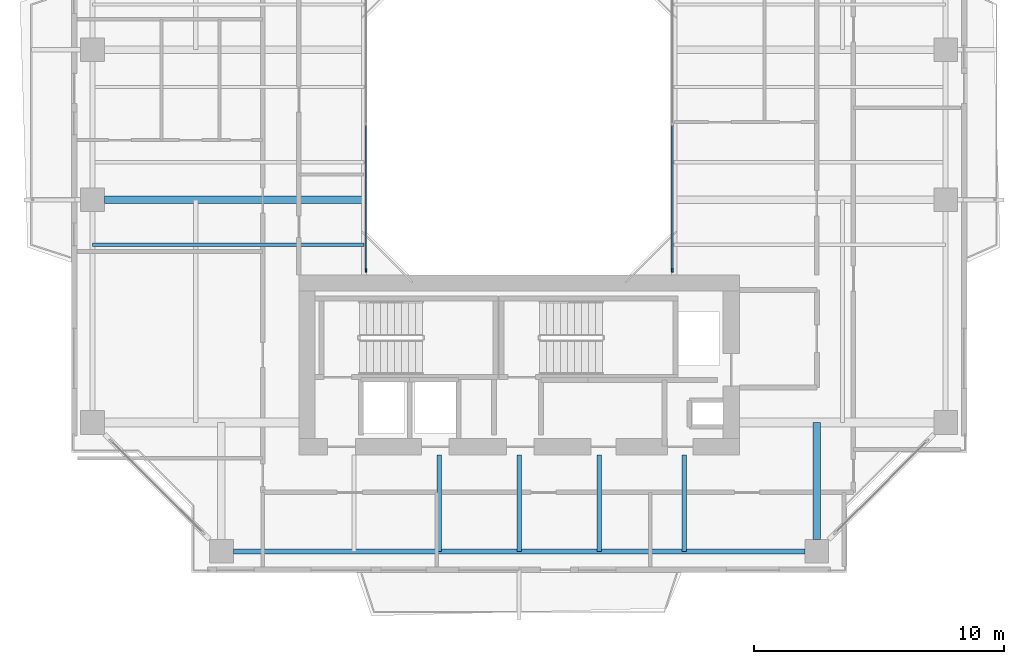
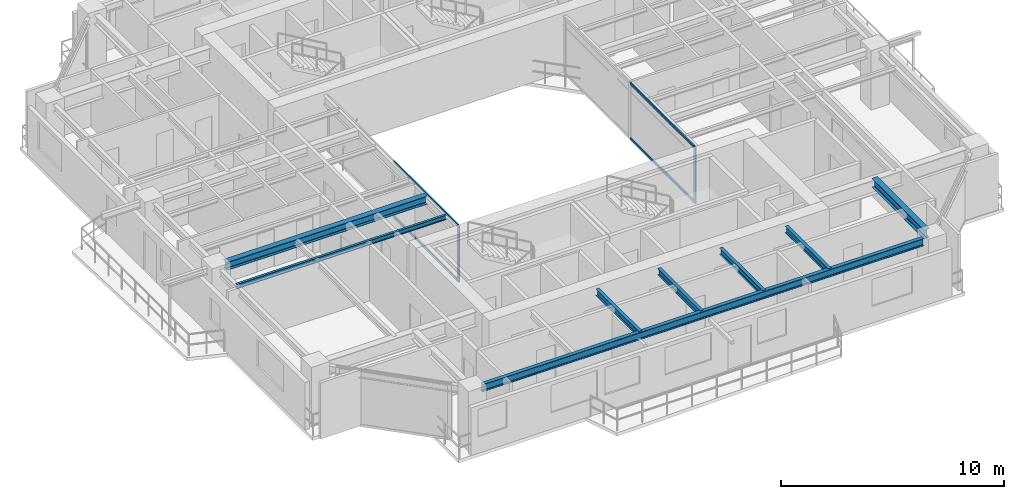
# One storey, part 4 of 18: 8 beams, 6 members, 2 elements without a shape of their own.
"""IFC4 building model written with IfcOpenShell, lengths in metres."""

from ifc_helpers import new_model, si_unit, direction, frame, origin, origin_2d, place, context, subcontext, project, spatial, rectangle, i_section, extrude, source, transform, mapped, material, layer, layer_set, material_profile, profile_set, type_object, element, aggregate, save


model = new_model("IFC4")

# Units and contexts
model_context = context("Model", 3, precision=1e-05, world=origin(), true_north=direction((0.0, 1.0)))
body_context = subcontext(model_context, "Body", "Model", "MODEL_VIEW")
ifc_project = project(units=[si_unit("LENGTHUNIT", "METRE"), si_unit("AREAUNIT", "SQUARE_METRE"), si_unit("VOLUMEUNIT", "CUBIC_METRE"), si_unit("PLANEANGLEUNIT", "RADIAN"), si_unit("MASSUNIT", "GRAM", prefix="KILO"), si_unit("THERMODYNAMICTEMPERATUREUNIT", "KELVIN"), si_unit("POWERUNIT", "WATT")], contexts=[model_context])

# Site, building, storey
site_placement = place(None, origin())
site = spatial("IfcSite", under=ifc_project, at=site_placement, CompositionType="ELEMENT")
building_placement = place(site_placement, origin())
building = spatial("IfcBuilding", under=site, at=building_placement, Name="Qiaomeng Ring Towers", CompositionType="ELEMENT")
storey_placement = place(building_placement, frame((0.0, 0.0, 147.0)))
storey = spatial("IfcBuildingStorey", under=building, at=storey_placement, Name="L42", CompositionType="ELEMENT", Elevation=147.0)

# Beams
ifc_material_1 = material(Name="Steel Q355B", Category="steel")
ifc_material_profile_1 = material_profile(ifc_material_1, i_section(OverallWidth=0.175048828125, OverallDepth=0.35009765625, WebThickness=0.007080078125, FlangeThickness=0.010986328125, FilletRadius=0.013916015625, at=origin_2d()), Name="HN 350x175x7x11")
ifc_profile_set_1 = profile_set([ifc_material_profile_1], Name="Steel Q355B")
beam_type_1 = type_object("IfcBeamType", Name="STR-BM-HN350", PredefinedType="JOIST", material=ifc_profile_set_1)
shared_shape_1 = source(origin(), body_context, "Body", "SweptSolid", [
    extrude(i_section(OverallWidth=0.175048828125, OverallDepth=0.35009765625, WebThickness=0.007080078125, FlangeThickness=0.010986328125, FilletRadius=0.013916015625, at=origin_2d()), origin(), (0.0, 0.0, 1.0), 3.85009765625),
])
for number, where, z_axis, x_axis, name in (
    (1, (15.800048828125, 5.949951171875, 2.89501953125), (0.0, 1.0, 0.0), (-1.0, 0.0, 0.0), "L42 beam STR-JST-L42-T1S-2"),
    (2, (19.0, 5.949951171875, 2.89501953125), (0.0, 1.0, 0.0), (-1.0, 0.0, 0.0), "L42 beam STR-JST-L42-T1S-3"),
    (3, (22.199951171875, 5.949951171875, 2.89501953125), (0.0, 1.0, 0.0), (-1.0, 0.0, 0.0), "L42 beam STR-JST-L42-T1S-4"),
    (4, (25.60009765625, 5.949951171875, 2.89501953125), (0.0, 1.0, 0.0), (-1.0, 0.0, 0.0), "L42 beam STR-JST-L42-T1S-5"),
):
    element("IfcBeam", number, at=place(storey_placement, frame(where, z_axis=z_axis, x_axis=x_axis)), inside=storey, type_object=beam_type_1, Name=name, PredefinedType="JOIST", context=body_context, shape_type="MappedRepresentation", body=[
        mapped(shared_shape_1, transform((0.0, 0.0, 0.0), x_axis=(1.0, 0.0, 0.0), y_axis=(0.0, 1.0, 0.0), z_axis=(0.0, 0.0, 1.0), scale=1.0)),
    ])
ifc_material_profile_2 = material_profile(ifc_material_1, i_section(OverallWidth=0.125, OverallDepth=0.25, WebThickness=0.006103515625, FlangeThickness=0.009033203125, FilletRadius=0.011962890625, at=origin_2d()), Name="HN 250x125x6x9")
ifc_profile_set_2 = profile_set([ifc_material_profile_2], Name="Steel Q355B")
beam_type_2 = type_object("IfcBeamType", Name="STR-BM-HN250", PredefinedType="JOIST", material=ifc_profile_set_2)
shared_shape_2 = source(origin(), body_context, "Body", "SweptSolid", [
    extrude(i_section(OverallWidth=0.125, OverallDepth=0.25, WebThickness=0.006103515625, FlangeThickness=0.009033203125, FilletRadius=0.011962890625, at=origin_2d()), origin(), (0.0, 0.0, 1.0), 10.85009765625),
])
beam_1_placement = place(storey_placement, frame((1.949951171875, 18.199951171875, 2.945068359375), z_axis=(1.0, 0.0, 0.0), x_axis=(0.0, 1.0, 0.0)))
element("IfcBeam", 5, at=beam_1_placement, inside=storey, type_object=beam_type_2, Name="L42 beam STR-JST-L42-T1W-1", PredefinedType="JOIST", context=body_context, shape_type="MappedRepresentation", body=[
    mapped(shared_shape_2, transform((0.0, 0.0, 0.0), x_axis=(1.0, 0.0, 0.0), y_axis=(0.0, 1.0, 0.0), z_axis=(0.0, 0.0, 1.0), scale=1.0)),
])
ifc_material_profile_3 = material_profile(ifc_material_1, i_section(OverallWidth=0.199951171875, OverallDepth=0.39990234375, WebThickness=0.008056640625, FlangeThickness=0.012939453125, FilletRadius=0.01611328125, at=origin_2d()), Name="HN 400x200x8x13")
ifc_profile_set_3 = profile_set([ifc_material_profile_3], Name="Steel Q355B")
beam_type_3 = type_object("IfcBeamType", Name="STR-BM-HN400", PredefinedType="SPANDREL", material=ifc_profile_set_3)
shared_shape_3 = source(origin(), body_context, "Body", "SweptSolid", [
    extrude(i_section(OverallWidth=0.199951171875, OverallDepth=0.39990234375, WebThickness=0.008056640625, FlangeThickness=0.012939453125, FilletRadius=0.01611328125, at=origin_2d()), origin(), (0.0, 0.0, 1.0), 22.85205078125),
])
beam_2_placement = place(storey_placement, frame((7.573974609375, 5.949951171875, 2.8701171875), z_axis=(1.0, 0.0, 0.0), x_axis=(0.0, 1.0, 0.0)))
element("IfcBeam", 6, at=beam_2_placement, inside=storey, type_object=beam_type_3, Name="L42 beam STR-SP-L42-T1-S1-S2", PredefinedType="SPANDREL", context=body_context, shape_type="MappedRepresentation", body=[
    mapped(shared_shape_3, transform((0.0, 0.0, 0.0), x_axis=(1.0, 0.0, 0.0), y_axis=(0.0, 1.0, 0.0), z_axis=(0.0, 0.0, 1.0), scale=1.0)),
])
ifc_material_profile_4 = material_profile(ifc_material_1, i_section(OverallWidth=0.300048828125, OverallDepth=0.488037109375, WebThickness=0.010986328125, FlangeThickness=0.01806640625, FilletRadius=0.02587890625, at=origin_2d()), Name="HM 488x300x11x18")
ifc_profile_set_4 = profile_set([ifc_material_profile_4], Name="Steel Q355B")
beam_type_4 = type_object("IfcBeamType", Name="STR-BM-HM488", PredefinedType="BEAM", material=ifc_profile_set_4)
shared_shape_4 = source(origin(), body_context, "Body", "SweptSolid", [
    extrude(i_section(OverallWidth=0.300048828125, OverallDepth=0.488037109375, WebThickness=0.010986328125, FlangeThickness=0.01806640625, FilletRadius=0.02587890625, at=origin_2d()), origin(), (0.0, 0.0, 1.0), 4.676025390625),
])
beam_3_placement = place(storey_placement, frame((30.89990234375, 6.424072265625, 2.825927734375), z_axis=(0.0, 1.0, 0.0), x_axis=(-1.0, 0.0, 0.0)))
element("IfcBeam", 7, at=beam_3_placement, inside=storey, type_object=beam_type_4, Name="L42 beam STR-BM-L42-T1-RAD-S2", PredefinedType="BEAM", context=body_context, shape_type="MappedRepresentation", body=[
    mapped(shared_shape_4, transform((0.0, 0.0, 0.0), x_axis=(1.0, 0.0, 0.0), y_axis=(0.0, 1.0, 0.0), z_axis=(0.0, 0.0, 1.0), scale=1.0)),
])
ifc_material_profile_5 = material_profile(ifc_material_1, i_section(OverallWidth=0.300048828125, OverallDepth=0.43994140625, WebThickness=0.010986328125, FlangeThickness=0.01806640625, FilletRadius=0.02392578125, at=origin_2d()), Name="HM 440x300x11x18")
ifc_profile_set_5 = profile_set([ifc_material_profile_5], Name="Steel Q355B")
beam_type_5 = type_object("IfcBeamType", Name="STR-BM-HM440", PredefinedType="BEAM", material=ifc_profile_set_5)
shared_shape_5 = source(origin(), body_context, "Body", "SweptSolid", [
    extrude(i_section(OverallWidth=0.300048828125, OverallDepth=0.43994140625, WebThickness=0.010986328125, FlangeThickness=0.01806640625, FilletRadius=0.02392578125, at=origin_2d()), origin(), (0.0, 0.0, 1.0), 10.3759765625),
])
beam_4_placement = place(storey_placement, frame((2.424072265625, 20.0, 2.85009765625), z_axis=(1.0, 0.0, 0.0), x_axis=(0.0, 1.0, 0.0)))
element("IfcBeam", 8, at=beam_4_placement, inside=storey, type_object=beam_type_5, Name="L42 beam STR-BM-L42-T1-RAD-W2", PredefinedType="BEAM", context=body_context, shape_type="MappedRepresentation", body=[
    mapped(shared_shape_5, transform((0.0, 0.0, 0.0), x_axis=(1.0, 0.0, 0.0), y_axis=(0.0, 1.0, 0.0), z_axis=(0.0, 0.0, 1.0), scale=1.0)),
])

# Curtain wall, member
ifc_material_2 = material(Name="Fluorocarbon dark-grey aluminium", Category="aluminium")
ifc_layer = layer(ifc_material_2, 0.139892578125, Name="Fluorocarbon dark-grey aluminium")
ifc_layer_set = layer_set([ifc_layer], Name="Fluorocarbon dark-grey aluminium")
curtain_wall_type = type_object("IfcCurtainWallType", Name="ARC-CW-4", PredefinedType="NOTDEFINED", material=ifc_layer_set)
curtain_wall_1_placement = place(storey_placement, origin())
curtain_wall_1 = element("IfcCurtainWall", 9, at=curtain_wall_1_placement, inside=storey, type_object=curtain_wall_type, Name="L42 Curtain Wall CW4", PredefinedType="NOTDEFINED")
ifc_material_profile_6 = material_profile(ifc_material_2, rectangle(XDim=0.06494140625, YDim=0.159912109375, at=origin_2d()), Name="ALU MULL 65x160")
ifc_profile_set_6 = profile_set([ifc_material_profile_6], Name="Fluorocarbon dark-grey aluminium")
member_type_1 = type_object("IfcMemberType", Name="ARC-CWM-140", PredefinedType="MULLION", material=ifc_profile_set_6)
shared_shape_6 = source(origin(), body_context, "Body", "SweptSolid", [
    extrude(rectangle(XDim=0.06494140625, YDim=0.159912109375, at=origin_2d()), origin(), (0.0, 0.0, 1.0), 3.070068359375),
])
member_1_placement = place(storey_placement, frame((12.8798828125, 17.1826171875, 0.0), z_axis=(0.0, 0.0, 1.0), x_axis=(-1.0, 0.0, 0.0)))
member_1 = element("IfcMember", 10, at=member_1_placement, type_object=member_type_1, Name="CW4 mullion 1", PredefinedType="MULLION", context=body_context, shape_type="MappedRepresentation", body=[
    mapped(shared_shape_6, transform((0.0, 0.0, 0.0), x_axis=(1.0, 0.0, 0.0), y_axis=(0.0, 1.0, 0.0), z_axis=(0.0, 0.0, 1.0), scale=1.0)),
])

curtain_wall_2_placement = place(storey_placement, origin())
curtain_wall_2 = element("IfcCurtainWall", 11, at=curtain_wall_2_placement, inside=storey, type_object=curtain_wall_type, Name="L42 Curtain Wall CW4", PredefinedType="NOTDEFINED")
member_2_placement = place(storey_placement, frame((25.1201171875, 17.1826171875, 0.0), z_axis=(0.0, 0.0, 1.0), x_axis=(-1.0, 0.0, 0.0)))
member_2 = element("IfcMember", 12, at=member_2_placement, type_object=member_type_1, Name="CW4 mullion 1", PredefinedType="MULLION", context=body_context, shape_type="MappedRepresentation", body=[
    mapped(shared_shape_6, transform((0.0, 0.0, 0.0), x_axis=(1.0, 0.0, 0.0), y_axis=(0.0, 1.0, 0.0), z_axis=(0.0, 0.0, 1.0), scale=1.0)),
])

# Member
ifc_material_profile_7 = material_profile(ifc_material_2, rectangle(XDim=0.06494140625, YDim=0.1298828125, at=origin_2d()), Name="ALU TRAN 65x130")
ifc_profile_set_7 = profile_set([ifc_material_profile_7], Name="Fluorocarbon dark-grey aluminium")
member_type_2 = type_object("IfcMemberType", Name="ARC-CWT-120", PredefinedType="USERDEFINED", material=ifc_profile_set_7)
shared_shape_7 = source(origin(), body_context, "Body", "SweptSolid", [
    extrude(rectangle(XDim=0.06494140625, YDim=0.1298828125, at=origin_2d()), origin(), (0.0, 0.0, 1.0), 5.75244140625),
])
member_3_placement = place(storey_placement, frame((12.8798828125, 17.215087890625, 0.032470703125), z_axis=(0.0, 1.0, 0.0), x_axis=(-1.0, 0.0, 0.0)))
member_3 = element("IfcMember", 13, at=member_3_placement, type_object=member_type_2, Name="CW4 transom 1.1", ObjectType="TRANSOM", PredefinedType="USERDEFINED", context=body_context, shape_type="MappedRepresentation", body=[
    mapped(shared_shape_7, transform((0.0, 0.0, 0.0), x_axis=(1.0, 0.0, 0.0), y_axis=(0.0, 1.0, 0.0), z_axis=(0.0, 0.0, 1.0), scale=1.0)),
])

member_4_placement = place(storey_placement, frame((12.8798828125, 17.215087890625, 3.03759765625), z_axis=(0.0, 1.0, 0.0), x_axis=(-1.0, 0.0, 0.0)))
member_4 = element("IfcMember", 14, at=member_4_placement, type_object=member_type_2, Name="CW4 transom 1.2", ObjectType="TRANSOM", PredefinedType="USERDEFINED", context=body_context, shape_type="MappedRepresentation", body=[
    mapped(shared_shape_7, transform((0.0, 0.0, 0.0), x_axis=(1.0, 0.0, 0.0), y_axis=(0.0, 1.0, 0.0), z_axis=(0.0, 0.0, 1.0), scale=1.0)),
])

aggregate(curtain_wall_1, [member_1, member_3, member_4])

member_5_placement = place(storey_placement, frame((25.1201171875, 17.215087890625, 0.032470703125), z_axis=(0.0, 1.0, 0.0), x_axis=(-1.0, 0.0, 0.0)))
member_5 = element("IfcMember", 15, at=member_5_placement, type_object=member_type_2, Name="CW4 transom 1.1", ObjectType="TRANSOM", PredefinedType="USERDEFINED", context=body_context, shape_type="MappedRepresentation", body=[
    mapped(shared_shape_7, transform((0.0, 0.0, 0.0), x_axis=(1.0, 0.0, 0.0), y_axis=(0.0, 1.0, 0.0), z_axis=(0.0, 0.0, 1.0), scale=1.0)),
])

member_6_placement = place(storey_placement, frame((25.1201171875, 17.215087890625, 3.03759765625), z_axis=(0.0, 1.0, 0.0), x_axis=(-1.0, 0.0, 0.0)))
member_6 = element("IfcMember", 16, at=member_6_placement, type_object=member_type_2, Name="CW4 transom 1.2", ObjectType="TRANSOM", PredefinedType="USERDEFINED", context=body_context, shape_type="MappedRepresentation", body=[
    mapped(shared_shape_7, transform((0.0, 0.0, 0.0), x_axis=(1.0, 0.0, 0.0), y_axis=(0.0, 1.0, 0.0), z_axis=(0.0, 0.0, 1.0), scale=1.0)),
])

aggregate(curtain_wall_2, [member_2, member_5, member_6])

save(model, "model.ifc")
